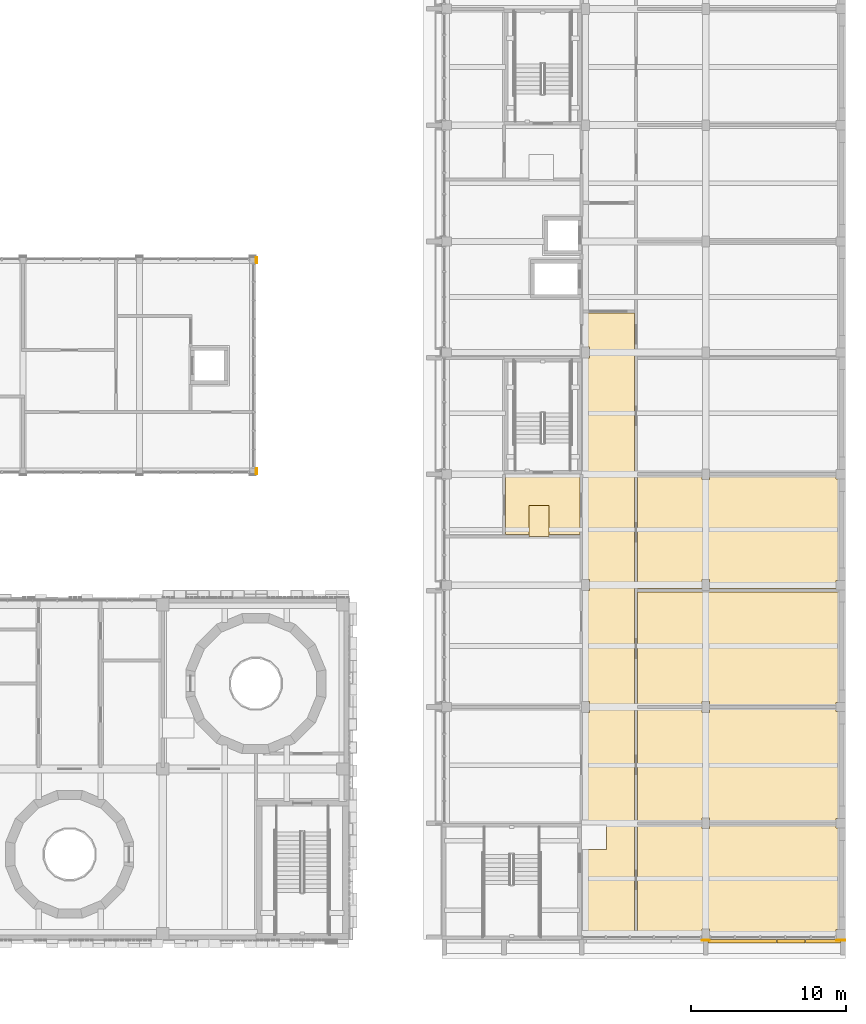
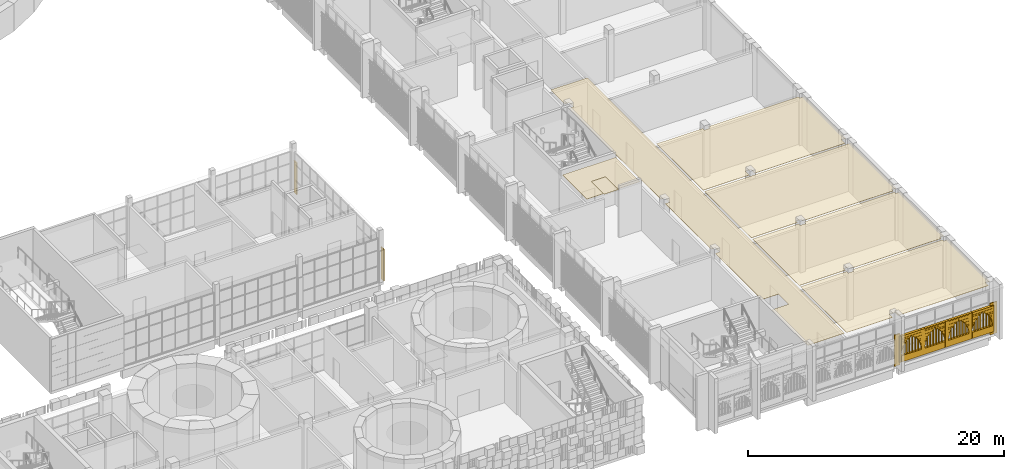
# One storey, part 112 of 125: 10 coverings.
"""IFC4 building model written with IfcOpenShell, lengths in metres."""

from ifc_helpers import new_model, si_unit, direction, frame, origin, origin_2d, place, context, subcontext, project, spatial, polyline, rectangle, outline, extrude, material, layer, layer_set, type_object, element, save


model = new_model("IFC4")

# Units and contexts
model_context = context("Model", 3, precision=1e-05, world=origin(), true_north=direction((0.0, 1.0)))
body_context = subcontext(model_context, "Body", "Model", "MODEL_VIEW")
ifc_project = project(units=[si_unit("LENGTHUNIT", "METRE"), si_unit("AREAUNIT", "SQUARE_METRE"), si_unit("VOLUMEUNIT", "CUBIC_METRE"), si_unit("PLANEANGLEUNIT", "RADIAN"), si_unit("MASSUNIT", "GRAM", prefix="KILO")], contexts=[model_context])

# Site, building, storey
site_placement = place(None, origin())
site = spatial("IfcSite", under=ifc_project, at=site_placement, CompositionType="ELEMENT")
building_placement = place(site_placement, origin())
building = spatial("IfcBuilding", under=site, at=building_placement, Name="Sun Court Science Centre", CompositionType="ELEMENT")
storey_placement = place(building_placement, frame((0.0, 0.0, 6.0)))
storey = spatial("IfcBuildingStorey", under=building, at=storey_placement, Name="L01", CompositionType="ELEMENT", Elevation=6.0)

# Coverings
ifc_material_1 = material(Name="Red sandstone", Category="masonry")
ifc_layer_1 = layer(ifc_material_1, 0.199951171875)
ifc_layer_set_1 = layer_set([ifc_layer_1], Name="Red sandstone")
covering_type_1 = type_object("IfcCoveringType", Name="Arched jali screen 200", PredefinedType="CLADDING", material=ifc_layer_set_1)
covering_1_placement = place(storey_placement, frame((0.0, 0.0, -6.0)))
element("IfcCovering", 1, at=covering_1_placement, inside=storey, type_object=covering_type_1, Name="Arched jali screen south L01 04", PredefinedType="CLADDING", context=body_context, shape_type="SweptSolid", body=[
    extrude(rectangle(XDim=0.139892578125, YDim=0.199951171875, at=origin_2d()), frame((95.22509765625, 5.89990234375, 6.30517578125), z_axis=(0.0, 0.0, 1.0), x_axis=(1.0, 0.0, 0.0)), (0.0, 0.0, 1.0), 2.481201171875),
    extrude(rectangle(XDim=0.2900390625, YDim=0.199951171875, at=origin_2d()), frame((97.28759765625, 5.89990234375, 6.30517578125), z_axis=(0.0, 0.0, 1.0), x_axis=(1.0, 0.0, 0.0)), (0.0, 0.0, 1.0), 2.481201171875),
    extrude(rectangle(XDim=0.2900390625, YDim=0.199951171875, at=origin_2d()), frame((99.425048828125, 5.89990234375, 6.30517578125), z_axis=(0.0, 0.0, 1.0), x_axis=(1.0, 0.0, 0.0)), (0.0, 0.0, 1.0), 2.481201171875),
    extrude(rectangle(XDim=0.2900390625, YDim=0.199951171875, at=origin_2d()), frame((101.5625, 5.89990234375, 6.30517578125), z_axis=(0.0, 0.0, 1.0), x_axis=(1.0, 0.0, 0.0)), (0.0, 0.0, 1.0), 2.481201171875),
    extrude(rectangle(XDim=0.139892578125, YDim=0.199951171875, at=origin_2d()), frame((103.625, 5.89990234375, 6.30517578125), z_axis=(0.0, 0.0, 1.0), x_axis=(1.0, 0.0, 0.0)), (0.0, 0.0, 1.0), 2.481201171875),
    extrude(rectangle(XDim=1.827392578125, YDim=0.199951171875, at=origin_2d()), frame((96.21875, 5.89990234375, 6.30517578125), z_axis=(0.0, 0.0, 1.0), x_axis=(1.0, 0.0, 0.0)), (0.0, 0.0, 1.0), 0.590087890625),
    extrude(rectangle(XDim=0.028564453125, YDim=0.199951171875, at=origin_2d()), frame((95.3193359375, 5.89990234375, 7.205078125), z_axis=(0.0, 0.0, 1.0), x_axis=(1.0, 0.0, 0.0)), (0.0, 0.0, 1.0), 0.139892578125),
    extrude(rectangle(XDim=0.028564453125, YDim=0.199951171875, at=origin_2d()), frame((97.1181640625, 5.89990234375, 7.205078125), z_axis=(0.0, 0.0, 1.0), x_axis=(1.0, 0.0, 0.0)), (0.0, 0.0, 1.0), 0.139892578125),
    extrude(rectangle(XDim=0.066650390625, YDim=0.199951171875, at=origin_2d()), frame((95.33837890625, 5.89990234375, 7.35498046875), z_axis=(0.0, 0.0, 1.0), x_axis=(1.0, 0.0, 0.0)), (0.0, 0.0, 1.0), 0.139892578125),
    extrude(rectangle(XDim=0.066650390625, YDim=0.199951171875, at=origin_2d()), frame((97.09912109375, 5.89990234375, 7.35498046875), z_axis=(0.0, 0.0, 1.0), x_axis=(1.0, 0.0, 0.0)), (0.0, 0.0, 1.0), 0.139892578125),
    extrude(rectangle(XDim=0.118408203125, YDim=0.199951171875, at=origin_2d()), frame((95.3642578125, 5.89990234375, 7.5048828125), z_axis=(0.0, 0.0, 1.0), x_axis=(1.0, 0.0, 0.0)), (0.0, 0.0, 1.0), 0.139892578125),
    extrude(rectangle(XDim=0.118408203125, YDim=0.199951171875, at=origin_2d()), frame((97.0732421875, 5.89990234375, 7.5048828125), z_axis=(0.0, 0.0, 1.0), x_axis=(1.0, 0.0, 0.0)), (0.0, 0.0, 1.0), 0.139892578125),
    extrude(rectangle(XDim=0.185546875, YDim=0.199951171875, at=origin_2d()), frame((95.397705078125, 5.89990234375, 7.6552734375), z_axis=(0.0, 0.0, 1.0), x_axis=(1.0, 0.0, 0.0)), (0.0, 0.0, 1.0), 0.139892578125),
    extrude(rectangle(XDim=0.185546875, YDim=0.199951171875, at=origin_2d()), frame((97.039794921875, 5.89990234375, 7.6552734375), z_axis=(0.0, 0.0, 1.0), x_axis=(1.0, 0.0, 0.0)), (0.0, 0.0, 1.0), 0.139892578125),
    extrude(rectangle(XDim=0.27001953125, YDim=0.199951171875, at=origin_2d()), frame((95.43994140625, 5.89990234375, 7.80517578125), z_axis=(0.0, 0.0, 1.0), x_axis=(1.0, 0.0, 0.0)), (0.0, 0.0, 1.0), 0.139892578125),
    extrude(rectangle(XDim=0.27001953125, YDim=0.199951171875, at=origin_2d()), frame((96.99755859375, 5.89990234375, 7.80517578125), z_axis=(0.0, 0.0, 1.0), x_axis=(1.0, 0.0, 0.0)), (0.0, 0.0, 1.0), 0.139892578125),
    extrude(rectangle(XDim=0.374755859375, YDim=0.199951171875, at=origin_2d()), frame((95.492431640625, 5.89990234375, 7.955078125), z_axis=(0.0, 0.0, 1.0), x_axis=(1.0, 0.0, 0.0)), (0.0, 0.0, 1.0), 0.139892578125),
    extrude(rectangle(XDim=0.374755859375, YDim=0.199951171875, at=origin_2d()), frame((96.945068359375, 5.89990234375, 7.955078125), z_axis=(0.0, 0.0, 1.0), x_axis=(1.0, 0.0, 0.0)), (0.0, 0.0, 1.0), 0.139892578125),
    extrude(rectangle(XDim=0.50439453125, YDim=0.199951171875, at=origin_2d()), frame((95.55712890625, 5.89990234375, 8.10498046875), z_axis=(0.0, 0.0, 1.0), x_axis=(1.0, 0.0, 0.0)), (0.0, 0.0, 1.0), 0.139892578125),
    extrude(rectangle(XDim=0.50439453125, YDim=0.199951171875, at=origin_2d()), frame((96.88037109375, 5.89990234375, 8.10498046875), z_axis=(0.0, 0.0, 1.0), x_axis=(1.0, 0.0, 0.0)), (0.0, 0.0, 1.0), 0.139892578125),
    extrude(rectangle(XDim=0.66748046875, YDim=0.199951171875, at=origin_2d()), frame((95.638671875, 5.89990234375, 8.2548828125), z_axis=(0.0, 0.0, 1.0), x_axis=(1.0, 0.0, 0.0)), (0.0, 0.0, 1.0), 0.139892578125),
    extrude(rectangle(XDim=0.66748046875, YDim=0.199951171875, at=origin_2d()), frame((96.798828125, 5.89990234375, 8.2548828125), z_axis=(0.0, 0.0, 1.0), x_axis=(1.0, 0.0, 0.0)), (0.0, 0.0, 1.0), 0.139892578125),
    extrude(rectangle(XDim=0.881103515625, YDim=0.199951171875, at=origin_2d()), frame((95.74560546875, 5.89990234375, 8.4052734375), z_axis=(0.0, 0.0, 1.0), x_axis=(1.0, 0.0, 0.0)), (0.0, 0.0, 1.0), 0.139892578125),
    extrude(rectangle(XDim=0.881103515625, YDim=0.199951171875, at=origin_2d()), frame((96.69189453125, 5.89990234375, 8.4052734375), z_axis=(0.0, 0.0, 1.0), x_axis=(1.0, 0.0, 0.0)), (0.0, 0.0, 1.0), 0.139892578125),
    extrude(rectangle(XDim=1.827392578125, YDim=0.199951171875, at=origin_2d()), frame((96.21875, 5.89990234375, 8.55517578125), z_axis=(0.0, 0.0, 1.0), x_axis=(1.0, 0.0, 0.0)), (0.0, 0.0, 1.0), 0.139892578125),
    extrude(rectangle(XDim=1.827392578125, YDim=0.199951171875, at=origin_2d()), frame((96.21875, 5.89990234375, 8.705078125), z_axis=(0.0, 0.0, 1.0), x_axis=(1.0, 0.0, 0.0)), (0.0, 0.0, 1.0), 0.081298828125),
    extrude(rectangle(XDim=0.0400390625, YDim=0.199951171875, at=origin_2d()), frame((95.5625, 5.89990234375, 6.905029296875), z_axis=(0.0, 0.0, 1.0), x_axis=(1.0, 0.0, 0.0)), (0.0, 0.0, 1.0), 0.9365234375),
    extrude(rectangle(XDim=0.0400390625, YDim=0.199951171875, at=origin_2d()), frame((95.824951171875, 5.89990234375, 6.905029296875), z_axis=(0.0, 0.0, 1.0), x_axis=(1.0, 0.0, 0.0)), (0.0, 0.0, 1.0), 1.27587890625),
    extrude(rectangle(XDim=0.0400390625, YDim=0.199951171875, at=origin_2d()), frame((96.08740234375, 5.89990234375, 6.905029296875), z_axis=(0.0, 0.0, 1.0), x_axis=(1.0, 0.0, 0.0)), (0.0, 0.0, 1.0), 1.498046875),
    extrude(rectangle(XDim=0.0400390625, YDim=0.199951171875, at=origin_2d()), frame((96.35009765625, 5.89990234375, 6.905029296875), z_axis=(0.0, 0.0, 1.0), x_axis=(1.0, 0.0, 0.0)), (0.0, 0.0, 1.0), 1.498046875),
    extrude(rectangle(XDim=0.0400390625, YDim=0.199951171875, at=origin_2d()), frame((96.612548828125, 5.89990234375, 6.905029296875), z_axis=(0.0, 0.0, 1.0), x_axis=(1.0, 0.0, 0.0)), (0.0, 0.0, 1.0), 1.27587890625),
    extrude(rectangle(XDim=0.0400390625, YDim=0.199951171875, at=origin_2d()), frame((96.875, 5.89990234375, 6.905029296875), z_axis=(0.0, 0.0, 1.0), x_axis=(1.0, 0.0, 0.0)), (0.0, 0.0, 1.0), 0.9365234375),
    extrude(rectangle(XDim=1.827392578125, YDim=0.199951171875, at=origin_2d()), frame((98.356201171875, 5.89990234375, 6.30517578125), z_axis=(0.0, 0.0, 1.0), x_axis=(1.0, 0.0, 0.0)), (0.0, 0.0, 1.0), 0.590087890625),
    extrude(rectangle(XDim=0.028564453125, YDim=0.199951171875, at=origin_2d()), frame((97.456787109375, 5.89990234375, 7.205078125), z_axis=(0.0, 0.0, 1.0), x_axis=(1.0, 0.0, 0.0)), (0.0, 0.0, 1.0), 0.139892578125),
    extrude(rectangle(XDim=0.028564453125, YDim=0.199951171875, at=origin_2d()), frame((99.255615234375, 5.89990234375, 7.205078125), z_axis=(0.0, 0.0, 1.0), x_axis=(1.0, 0.0, 0.0)), (0.0, 0.0, 1.0), 0.139892578125),
    extrude(rectangle(XDim=0.066650390625, YDim=0.199951171875, at=origin_2d()), frame((97.475830078125, 5.89990234375, 7.35498046875), z_axis=(0.0, 0.0, 1.0), x_axis=(1.0, 0.0, 0.0)), (0.0, 0.0, 1.0), 0.139892578125),
    extrude(rectangle(XDim=0.066650390625, YDim=0.199951171875, at=origin_2d()), frame((99.23681640625, 5.89990234375, 7.35498046875), z_axis=(0.0, 0.0, 1.0), x_axis=(1.0, 0.0, 0.0)), (0.0, 0.0, 1.0), 0.139892578125),
    extrude(rectangle(XDim=0.118408203125, YDim=0.199951171875, at=origin_2d()), frame((97.501708984375, 5.89990234375, 7.5048828125), z_axis=(0.0, 0.0, 1.0), x_axis=(1.0, 0.0, 0.0)), (0.0, 0.0, 1.0), 0.139892578125),
    extrude(rectangle(XDim=0.118408203125, YDim=0.199951171875, at=origin_2d()), frame((99.210693359375, 5.89990234375, 7.5048828125), z_axis=(0.0, 0.0, 1.0), x_axis=(1.0, 0.0, 0.0)), (0.0, 0.0, 1.0), 0.139892578125),
    extrude(rectangle(XDim=0.185546875, YDim=0.199951171875, at=origin_2d()), frame((97.535400390625, 5.89990234375, 7.6552734375), z_axis=(0.0, 0.0, 1.0), x_axis=(1.0, 0.0, 0.0)), (0.0, 0.0, 1.0), 0.139892578125),
    extrude(rectangle(XDim=0.185546875, YDim=0.199951171875, at=origin_2d()), frame((99.17724609375, 5.89990234375, 7.6552734375), z_axis=(0.0, 0.0, 1.0), x_axis=(1.0, 0.0, 0.0)), (0.0, 0.0, 1.0), 0.139892578125),
    extrude(rectangle(XDim=0.27001953125, YDim=0.199951171875, at=origin_2d()), frame((97.577392578125, 5.89990234375, 7.80517578125), z_axis=(0.0, 0.0, 1.0), x_axis=(1.0, 0.0, 0.0)), (0.0, 0.0, 1.0), 0.139892578125),
    extrude(rectangle(XDim=0.27001953125, YDim=0.199951171875, at=origin_2d()), frame((99.135009765625, 5.89990234375, 7.80517578125), z_axis=(0.0, 0.0, 1.0), x_axis=(1.0, 0.0, 0.0)), (0.0, 0.0, 1.0), 0.139892578125),
    extrude(rectangle(XDim=0.374755859375, YDim=0.199951171875, at=origin_2d()), frame((97.6298828125, 5.89990234375, 7.955078125), z_axis=(0.0, 0.0, 1.0), x_axis=(1.0, 0.0, 0.0)), (0.0, 0.0, 1.0), 0.139892578125),
    extrude(rectangle(XDim=0.374755859375, YDim=0.199951171875, at=origin_2d()), frame((99.082763671875, 5.89990234375, 7.955078125), z_axis=(0.0, 0.0, 1.0), x_axis=(1.0, 0.0, 0.0)), (0.0, 0.0, 1.0), 0.139892578125),
    extrude(rectangle(XDim=0.50439453125, YDim=0.199951171875, at=origin_2d()), frame((97.694580078125, 5.89990234375, 8.10498046875), z_axis=(0.0, 0.0, 1.0), x_axis=(1.0, 0.0, 0.0)), (0.0, 0.0, 1.0), 0.139892578125),
    extrude(rectangle(XDim=0.50439453125, YDim=0.199951171875, at=origin_2d()), frame((99.017822265625, 5.89990234375, 8.10498046875), z_axis=(0.0, 0.0, 1.0), x_axis=(1.0, 0.0, 0.0)), (0.0, 0.0, 1.0), 0.139892578125),
    extrude(rectangle(XDim=0.66748046875, YDim=0.199951171875, at=origin_2d()), frame((97.776123046875, 5.89990234375, 8.2548828125), z_axis=(0.0, 0.0, 1.0), x_axis=(1.0, 0.0, 0.0)), (0.0, 0.0, 1.0), 0.139892578125),
    extrude(rectangle(XDim=0.66748046875, YDim=0.199951171875, at=origin_2d()), frame((98.936279296875, 5.89990234375, 8.2548828125), z_axis=(0.0, 0.0, 1.0), x_axis=(1.0, 0.0, 0.0)), (0.0, 0.0, 1.0), 0.139892578125),
    extrude(rectangle(XDim=0.881103515625, YDim=0.199951171875, at=origin_2d()), frame((97.883056640625, 5.89990234375, 8.4052734375), z_axis=(0.0, 0.0, 1.0), x_axis=(1.0, 0.0, 0.0)), (0.0, 0.0, 1.0), 0.139892578125),
    extrude(rectangle(XDim=0.881103515625, YDim=0.199951171875, at=origin_2d()), frame((98.82958984375, 5.89990234375, 8.4052734375), z_axis=(0.0, 0.0, 1.0), x_axis=(1.0, 0.0, 0.0)), (0.0, 0.0, 1.0), 0.139892578125),
    extrude(rectangle(XDim=1.827392578125, YDim=0.199951171875, at=origin_2d()), frame((98.356201171875, 5.89990234375, 8.55517578125), z_axis=(0.0, 0.0, 1.0), x_axis=(1.0, 0.0, 0.0)), (0.0, 0.0, 1.0), 0.139892578125),
    extrude(rectangle(XDim=1.827392578125, YDim=0.199951171875, at=origin_2d()), frame((98.356201171875, 5.89990234375, 8.705078125), z_axis=(0.0, 0.0, 1.0), x_axis=(1.0, 0.0, 0.0)), (0.0, 0.0, 1.0), 0.081298828125),
    extrude(rectangle(XDim=0.0400390625, YDim=0.199951171875, at=origin_2d()), frame((97.699951171875, 5.89990234375, 6.905029296875), z_axis=(0.0, 0.0, 1.0), x_axis=(1.0, 0.0, 0.0)), (0.0, 0.0, 1.0), 0.9365234375),
    extrude(rectangle(XDim=0.0400390625, YDim=0.199951171875, at=origin_2d()), frame((97.96240234375, 5.89990234375, 6.905029296875), z_axis=(0.0, 0.0, 1.0), x_axis=(1.0, 0.0, 0.0)), (0.0, 0.0, 1.0), 1.27587890625),
    extrude(rectangle(XDim=0.0400390625, YDim=0.199951171875, at=origin_2d()), frame((98.22509765625, 5.89990234375, 6.905029296875), z_axis=(0.0, 0.0, 1.0), x_axis=(1.0, 0.0, 0.0)), (0.0, 0.0, 1.0), 1.498046875),
    extrude(rectangle(XDim=0.0400390625, YDim=0.199951171875, at=origin_2d()), frame((98.487548828125, 5.89990234375, 6.905029296875), z_axis=(0.0, 0.0, 1.0), x_axis=(1.0, 0.0, 0.0)), (0.0, 0.0, 1.0), 1.498046875),
    extrude(rectangle(XDim=0.0400390625, YDim=0.199951171875, at=origin_2d()), frame((98.75, 5.89990234375, 6.905029296875), z_axis=(0.0, 0.0, 1.0), x_axis=(1.0, 0.0, 0.0)), (0.0, 0.0, 1.0), 1.27587890625),
    extrude(rectangle(XDim=0.0400390625, YDim=0.199951171875, at=origin_2d()), frame((99.012451171875, 5.89990234375, 6.905029296875), z_axis=(0.0, 0.0, 1.0), x_axis=(1.0, 0.0, 0.0)), (0.0, 0.0, 1.0), 0.9365234375),
    extrude(rectangle(XDim=1.827392578125, YDim=0.199951171875, at=origin_2d()), frame((100.49365234375, 5.89990234375, 6.30517578125), z_axis=(0.0, 0.0, 1.0), x_axis=(1.0, 0.0, 0.0)), (0.0, 0.0, 1.0), 0.590087890625),
    extrude(rectangle(XDim=0.028564453125, YDim=0.199951171875, at=origin_2d()), frame((99.59423828125, 5.89990234375, 7.205078125), z_axis=(0.0, 0.0, 1.0), x_axis=(1.0, 0.0, 0.0)), (0.0, 0.0, 1.0), 0.139892578125),
    extrude(rectangle(XDim=0.028564453125, YDim=0.199951171875, at=origin_2d()), frame((101.39306640625, 5.89990234375, 7.205078125), z_axis=(0.0, 0.0, 1.0), x_axis=(1.0, 0.0, 0.0)), (0.0, 0.0, 1.0), 0.139892578125),
    extrude(rectangle(XDim=0.066650390625, YDim=0.199951171875, at=origin_2d()), frame((99.61328125, 5.89990234375, 7.35498046875), z_axis=(0.0, 0.0, 1.0), x_axis=(1.0, 0.0, 0.0)), (0.0, 0.0, 1.0), 0.139892578125),
    extrude(rectangle(XDim=0.066650390625, YDim=0.199951171875, at=origin_2d()), frame((101.374267578125, 5.89990234375, 7.35498046875), z_axis=(0.0, 0.0, 1.0), x_axis=(1.0, 0.0, 0.0)), (0.0, 0.0, 1.0), 0.139892578125),
    extrude(rectangle(XDim=0.118408203125, YDim=0.199951171875, at=origin_2d()), frame((99.63916015625, 5.89990234375, 7.5048828125), z_axis=(0.0, 0.0, 1.0), x_axis=(1.0, 0.0, 0.0)), (0.0, 0.0, 1.0), 0.139892578125),
    extrude(rectangle(XDim=0.118408203125, YDim=0.199951171875, at=origin_2d()), frame((101.34814453125, 5.89990234375, 7.5048828125), z_axis=(0.0, 0.0, 1.0), x_axis=(1.0, 0.0, 0.0)), (0.0, 0.0, 1.0), 0.139892578125),
    extrude(rectangle(XDim=0.185546875, YDim=0.199951171875, at=origin_2d()), frame((99.6728515625, 5.89990234375, 7.6552734375), z_axis=(0.0, 0.0, 1.0), x_axis=(1.0, 0.0, 0.0)), (0.0, 0.0, 1.0), 0.139892578125),
    extrude(rectangle(XDim=0.185546875, YDim=0.199951171875, at=origin_2d()), frame((101.314697265625, 5.89990234375, 7.6552734375), z_axis=(0.0, 0.0, 1.0), x_axis=(1.0, 0.0, 0.0)), (0.0, 0.0, 1.0), 0.139892578125),
    extrude(rectangle(XDim=0.27001953125, YDim=0.199951171875, at=origin_2d()), frame((99.715087890625, 5.89990234375, 7.80517578125), z_axis=(0.0, 0.0, 1.0), x_axis=(1.0, 0.0, 0.0)), (0.0, 0.0, 1.0), 0.139892578125),
    extrude(rectangle(XDim=0.27001953125, YDim=0.199951171875, at=origin_2d()), frame((101.2724609375, 5.89990234375, 7.80517578125), z_axis=(0.0, 0.0, 1.0), x_axis=(1.0, 0.0, 0.0)), (0.0, 0.0, 1.0), 0.139892578125),
    extrude(rectangle(XDim=0.374755859375, YDim=0.199951171875, at=origin_2d()), frame((99.767333984375, 5.89990234375, 7.955078125), z_axis=(0.0, 0.0, 1.0), x_axis=(1.0, 0.0, 0.0)), (0.0, 0.0, 1.0), 0.139892578125),
    extrude(rectangle(XDim=0.374755859375, YDim=0.199951171875, at=origin_2d()), frame((101.22021484375, 5.89990234375, 7.955078125), z_axis=(0.0, 0.0, 1.0), x_axis=(1.0, 0.0, 0.0)), (0.0, 0.0, 1.0), 0.139892578125),
    extrude(rectangle(XDim=0.50439453125, YDim=0.199951171875, at=origin_2d()), frame((99.832275390625, 5.89990234375, 8.10498046875), z_axis=(0.0, 0.0, 1.0), x_axis=(1.0, 0.0, 0.0)), (0.0, 0.0, 1.0), 0.139892578125),
    extrude(rectangle(XDim=0.50439453125, YDim=0.199951171875, at=origin_2d()), frame((101.1552734375, 5.89990234375, 8.10498046875), z_axis=(0.0, 0.0, 1.0), x_axis=(1.0, 0.0, 0.0)), (0.0, 0.0, 1.0), 0.139892578125),
    extrude(rectangle(XDim=0.66748046875, YDim=0.199951171875, at=origin_2d()), frame((99.913818359375, 5.89990234375, 8.2548828125), z_axis=(0.0, 0.0, 1.0), x_axis=(1.0, 0.0, 0.0)), (0.0, 0.0, 1.0), 0.139892578125),
    extrude(rectangle(XDim=0.66748046875, YDim=0.199951171875, at=origin_2d()), frame((101.07373046875, 5.89990234375, 8.2548828125), z_axis=(0.0, 0.0, 1.0), x_axis=(1.0, 0.0, 0.0)), (0.0, 0.0, 1.0), 0.139892578125),
    extrude(rectangle(XDim=0.881103515625, YDim=0.199951171875, at=origin_2d()), frame((100.0205078125, 5.89990234375, 8.4052734375), z_axis=(0.0, 0.0, 1.0), x_axis=(1.0, 0.0, 0.0)), (0.0, 0.0, 1.0), 0.139892578125),
    extrude(rectangle(XDim=0.881103515625, YDim=0.199951171875, at=origin_2d()), frame((100.967041015625, 5.89990234375, 8.4052734375), z_axis=(0.0, 0.0, 1.0), x_axis=(1.0, 0.0, 0.0)), (0.0, 0.0, 1.0), 0.139892578125),
    extrude(rectangle(XDim=1.827392578125, YDim=0.199951171875, at=origin_2d()), frame((100.49365234375, 5.89990234375, 8.55517578125), z_axis=(0.0, 0.0, 1.0), x_axis=(1.0, 0.0, 0.0)), (0.0, 0.0, 1.0), 0.139892578125),
    extrude(rectangle(XDim=1.827392578125, YDim=0.199951171875, at=origin_2d()), frame((100.49365234375, 5.89990234375, 8.705078125), z_axis=(0.0, 0.0, 1.0), x_axis=(1.0, 0.0, 0.0)), (0.0, 0.0, 1.0), 0.081298828125),
    extrude(rectangle(XDim=0.0400390625, YDim=0.199951171875, at=origin_2d()), frame((99.83740234375, 5.89990234375, 6.905029296875), z_axis=(0.0, 0.0, 1.0), x_axis=(1.0, 0.0, 0.0)), (0.0, 0.0, 1.0), 0.9365234375),
    extrude(rectangle(XDim=0.0400390625, YDim=0.199951171875, at=origin_2d()), frame((100.10009765625, 5.89990234375, 6.905029296875), z_axis=(0.0, 0.0, 1.0), x_axis=(1.0, 0.0, 0.0)), (0.0, 0.0, 1.0), 1.27587890625),
    extrude(rectangle(XDim=0.0400390625, YDim=0.199951171875, at=origin_2d()), frame((100.362548828125, 5.89990234375, 6.905029296875), z_axis=(0.0, 0.0, 1.0), x_axis=(1.0, 0.0, 0.0)), (0.0, 0.0, 1.0), 1.498046875),
    extrude(rectangle(XDim=0.0400390625, YDim=0.199951171875, at=origin_2d()), frame((100.625, 5.89990234375, 6.905029296875), z_axis=(0.0, 0.0, 1.0), x_axis=(1.0, 0.0, 0.0)), (0.0, 0.0, 1.0), 1.498046875),
    extrude(rectangle(XDim=0.0400390625, YDim=0.199951171875, at=origin_2d()), frame((100.887451171875, 5.89990234375, 6.905029296875), z_axis=(0.0, 0.0, 1.0), x_axis=(1.0, 0.0, 0.0)), (0.0, 0.0, 1.0), 1.27587890625),
    extrude(rectangle(XDim=0.0400390625, YDim=0.199951171875, at=origin_2d()), frame((101.14990234375, 5.89990234375, 6.905029296875), z_axis=(0.0, 0.0, 1.0), x_axis=(1.0, 0.0, 0.0)), (0.0, 0.0, 1.0), 0.9365234375),
    extrude(rectangle(XDim=1.827392578125, YDim=0.199951171875, at=origin_2d()), frame((102.63134765625, 5.89990234375, 6.30517578125), z_axis=(0.0, 0.0, 1.0), x_axis=(1.0, 0.0, 0.0)), (0.0, 0.0, 1.0), 0.590087890625),
    extrude(rectangle(XDim=0.028564453125, YDim=0.199951171875, at=origin_2d()), frame((101.73193359375, 5.89990234375, 7.205078125), z_axis=(0.0, 0.0, 1.0), x_axis=(1.0, 0.0, 0.0)), (0.0, 0.0, 1.0), 0.139892578125),
    extrude(rectangle(XDim=0.028564453125, YDim=0.199951171875, at=origin_2d()), frame((103.53076171875, 5.89990234375, 7.205078125), z_axis=(0.0, 0.0, 1.0), x_axis=(1.0, 0.0, 0.0)), (0.0, 0.0, 1.0), 0.139892578125),
    extrude(rectangle(XDim=0.066650390625, YDim=0.199951171875, at=origin_2d()), frame((101.750732421875, 5.89990234375, 7.35498046875), z_axis=(0.0, 0.0, 1.0), x_axis=(1.0, 0.0, 0.0)), (0.0, 0.0, 1.0), 0.139892578125),
    extrude(rectangle(XDim=0.066650390625, YDim=0.199951171875, at=origin_2d()), frame((103.51171875, 5.89990234375, 7.35498046875), z_axis=(0.0, 0.0, 1.0), x_axis=(1.0, 0.0, 0.0)), (0.0, 0.0, 1.0), 0.139892578125),
    extrude(rectangle(XDim=0.118408203125, YDim=0.199951171875, at=origin_2d()), frame((101.77685546875, 5.89990234375, 7.5048828125), z_axis=(0.0, 0.0, 1.0), x_axis=(1.0, 0.0, 0.0)), (0.0, 0.0, 1.0), 0.139892578125),
    extrude(rectangle(XDim=0.118408203125, YDim=0.199951171875, at=origin_2d()), frame((103.48583984375, 5.89990234375, 7.5048828125), z_axis=(0.0, 0.0, 1.0), x_axis=(1.0, 0.0, 0.0)), (0.0, 0.0, 1.0), 0.139892578125),
    extrude(rectangle(XDim=0.185546875, YDim=0.199951171875, at=origin_2d()), frame((101.810302734375, 5.89990234375, 7.6552734375), z_axis=(0.0, 0.0, 1.0), x_axis=(1.0, 0.0, 0.0)), (0.0, 0.0, 1.0), 0.139892578125),
    extrude(rectangle(XDim=0.185546875, YDim=0.199951171875, at=origin_2d()), frame((103.4521484375, 5.89990234375, 7.6552734375), z_axis=(0.0, 0.0, 1.0), x_axis=(1.0, 0.0, 0.0)), (0.0, 0.0, 1.0), 0.139892578125),
    extrude(rectangle(XDim=0.27001953125, YDim=0.199951171875, at=origin_2d()), frame((101.8525390625, 5.89990234375, 7.80517578125), z_axis=(0.0, 0.0, 1.0), x_axis=(1.0, 0.0, 0.0)), (0.0, 0.0, 1.0), 0.139892578125),
    extrude(rectangle(XDim=0.27001953125, YDim=0.199951171875, at=origin_2d()), frame((103.409912109375, 5.89990234375, 7.80517578125), z_axis=(0.0, 0.0, 1.0), x_axis=(1.0, 0.0, 0.0)), (0.0, 0.0, 1.0), 0.139892578125),
    extrude(rectangle(XDim=0.374755859375, YDim=0.199951171875, at=origin_2d()), frame((101.90478515625, 5.89990234375, 7.955078125), z_axis=(0.0, 0.0, 1.0), x_axis=(1.0, 0.0, 0.0)), (0.0, 0.0, 1.0), 0.139892578125),
    extrude(rectangle(XDim=0.374755859375, YDim=0.199951171875, at=origin_2d()), frame((103.357666015625, 5.89990234375, 7.955078125), z_axis=(0.0, 0.0, 1.0), x_axis=(1.0, 0.0, 0.0)), (0.0, 0.0, 1.0), 0.139892578125),
    extrude(rectangle(XDim=0.50439453125, YDim=0.199951171875, at=origin_2d()), frame((101.9697265625, 5.89990234375, 8.10498046875), z_axis=(0.0, 0.0, 1.0), x_axis=(1.0, 0.0, 0.0)), (0.0, 0.0, 1.0), 0.139892578125),
    extrude(rectangle(XDim=0.50439453125, YDim=0.199951171875, at=origin_2d()), frame((103.292724609375, 5.89990234375, 8.10498046875), z_axis=(0.0, 0.0, 1.0), x_axis=(1.0, 0.0, 0.0)), (0.0, 0.0, 1.0), 0.139892578125),
    extrude(rectangle(XDim=0.66748046875, YDim=0.199951171875, at=origin_2d()), frame((102.05126953125, 5.89990234375, 8.2548828125), z_axis=(0.0, 0.0, 1.0), x_axis=(1.0, 0.0, 0.0)), (0.0, 0.0, 1.0), 0.139892578125),
    extrude(rectangle(XDim=0.66748046875, YDim=0.199951171875, at=origin_2d()), frame((103.211181640625, 5.89990234375, 8.2548828125), z_axis=(0.0, 0.0, 1.0), x_axis=(1.0, 0.0, 0.0)), (0.0, 0.0, 1.0), 0.139892578125),
    extrude(rectangle(XDim=0.881103515625, YDim=0.199951171875, at=origin_2d()), frame((102.157958984375, 5.89990234375, 8.4052734375), z_axis=(0.0, 0.0, 1.0), x_axis=(1.0, 0.0, 0.0)), (0.0, 0.0, 1.0), 0.139892578125),
    extrude(rectangle(XDim=0.881103515625, YDim=0.199951171875, at=origin_2d()), frame((103.1044921875, 5.89990234375, 8.4052734375), z_axis=(0.0, 0.0, 1.0), x_axis=(1.0, 0.0, 0.0)), (0.0, 0.0, 1.0), 0.139892578125),
    extrude(rectangle(XDim=1.827392578125, YDim=0.199951171875, at=origin_2d()), frame((102.63134765625, 5.89990234375, 8.55517578125), z_axis=(0.0, 0.0, 1.0), x_axis=(1.0, 0.0, 0.0)), (0.0, 0.0, 1.0), 0.139892578125),
    extrude(rectangle(XDim=1.827392578125, YDim=0.199951171875, at=origin_2d()), frame((102.63134765625, 5.89990234375, 8.705078125), z_axis=(0.0, 0.0, 1.0), x_axis=(1.0, 0.0, 0.0)), (0.0, 0.0, 1.0), 0.081298828125),
    extrude(rectangle(XDim=0.0400390625, YDim=0.199951171875, at=origin_2d()), frame((101.97509765625, 5.89990234375, 6.905029296875), z_axis=(0.0, 0.0, 1.0), x_axis=(1.0, 0.0, 0.0)), (0.0, 0.0, 1.0), 0.9365234375),
    extrude(rectangle(XDim=0.0400390625, YDim=0.199951171875, at=origin_2d()), frame((102.237548828125, 5.89990234375, 6.905029296875), z_axis=(0.0, 0.0, 1.0), x_axis=(1.0, 0.0, 0.0)), (0.0, 0.0, 1.0), 1.27587890625),
    extrude(rectangle(XDim=0.0400390625, YDim=0.199951171875, at=origin_2d()), frame((102.5, 5.89990234375, 6.905029296875), z_axis=(0.0, 0.0, 1.0), x_axis=(1.0, 0.0, 0.0)), (0.0, 0.0, 1.0), 1.498046875),
    extrude(rectangle(XDim=0.0400390625, YDim=0.199951171875, at=origin_2d()), frame((102.762451171875, 5.89990234375, 6.905029296875), z_axis=(0.0, 0.0, 1.0), x_axis=(1.0, 0.0, 0.0)), (0.0, 0.0, 1.0), 1.498046875),
    extrude(rectangle(XDim=0.0400390625, YDim=0.199951171875, at=origin_2d()), frame((103.02490234375, 5.89990234375, 6.905029296875), z_axis=(0.0, 0.0, 1.0), x_axis=(1.0, 0.0, 0.0)), (0.0, 0.0, 1.0), 1.27587890625),
    extrude(rectangle(XDim=0.0400390625, YDim=0.199951171875, at=origin_2d()), frame((103.28759765625, 5.89990234375, 6.905029296875), z_axis=(0.0, 0.0, 1.0), x_axis=(1.0, 0.0, 0.0)), (0.0, 0.0, 1.0), 0.9365234375),
])
ifc_material_2 = material(Name="Gypsum board")
ifc_layer_2 = layer(ifc_material_2, 0.030029296875)
ifc_layer_set_2 = layer_set([ifc_layer_2], Name="Gypsum board")
covering_type_2 = type_object("IfcCoveringType", Name="Ceiling suspended 600 module", PredefinedType="CEILING", material=ifc_layer_set_2)
covering_2_placement = place(storey_placement, frame((0.0, 0.0, 4.52001953125)))
element("IfcCovering", 2, at=covering_2_placement, inside=storey, type_object=covering_type_2, Name="L01-037 ceiling", PredefinedType="CEILING", context=body_context, shape_type="SweptSolid", body=[
    extrude(outline(polyline([(87.10009765625, 6.199951171875), (87.10009765625, 11.800048828125), (88.60009765625, 11.800048828125), (88.60009765625, 13.39990234375), (87.10009765625, 13.39990234375), (87.10009765625, 20.64990234375), (87.5, 20.64990234375), (87.5, 21.35009765625), (87.10009765625, 21.35009765625), (87.10009765625, 28.5), (87.5, 28.5), (87.5, 29.199951171875), (87.10009765625, 29.199951171875), (87.10009765625, 43.5), (87.5, 43.5), (87.5, 44.199951171875), (87.10009765625, 44.199951171875), (87.10009765625, 46.39990234375), (90.39990234375, 46.39990234375), (90.39990234375, 6.199951171875), (87.10009765625, 6.199951171875)])), origin(), (0.0, 0.0, 1.0), 0.030029296875),
])
covering_3_placement = place(storey_placement, frame((0.0, 0.0, 4.52001953125)))
element("IfcCovering", 3, at=covering_3_placement, inside=storey, type_object=covering_type_2, Name="L01-040 ceiling", PredefinedType="CEILING", context=body_context, shape_type="SweptSolid", body=[
    extrude(outline(polyline([(84.89990234375, 34.0), (83.60009765625, 34.0), (83.60009765625, 32.10009765625), (82.10009765625, 32.10009765625), (82.10009765625, 35.89990234375), (86.89990234375, 35.89990234375), (86.89990234375, 32.10009765625), (84.89990234375, 32.10009765625), (84.89990234375, 34.0)])), origin(), (0.0, 0.0, 1.0), 0.030029296875),
])
covering_4_placement = place(storey_placement, frame((0.0, 0.0, 4.52001953125)))
element("IfcCovering", 4, at=covering_4_placement, inside=storey, type_object=covering_type_2, Name="L01-050 ceiling", PredefinedType="CEILING", context=body_context, shape_type="SweptSolid", body=[
    extrude(outline(polyline([(103.39990234375, 6.199951171875), (95.25, 6.199951171875), (95.25, 6.699951171875), (94.75, 6.699951171875), (94.75, 6.199951171875), (90.60009765625, 6.199951171875), (90.60009765625, 13.39990234375), (94.75, 13.39990234375), (94.75, 13.14990234375), (95.25, 13.14990234375), (95.25, 13.39990234375), (103.39990234375, 13.39990234375), (103.39990234375, 13.199951171875), (103.800048828125, 13.199951171875), (103.800048828125, 6.64990234375), (103.39990234375, 6.64990234375), (103.39990234375, 6.199951171875)])), origin(), (0.0, 0.0, 1.0), 0.030029296875),
])
covering_5_placement = place(storey_placement, frame((0.0, 0.0, 4.52001953125)))
element("IfcCovering", 5, at=covering_5_placement, inside=storey, type_object=covering_type_2, Name="L01-051 ceiling", PredefinedType="CEILING", context=body_context, shape_type="SweptSolid", body=[
    extrude(outline(polyline([(103.39990234375, 13.60009765625), (95.25, 13.60009765625), (95.25, 13.85009765625), (94.75, 13.85009765625), (94.75, 13.60009765625), (90.60009765625, 13.60009765625), (90.60009765625, 20.89990234375), (94.75, 20.89990234375), (94.75, 20.64990234375), (95.25, 20.64990234375), (95.25, 20.89990234375), (103.39990234375, 20.89990234375), (103.39990234375, 20.699951171875), (103.800048828125, 20.699951171875), (103.800048828125, 13.800048828125), (103.39990234375, 13.800048828125), (103.39990234375, 13.60009765625)])), origin(), (0.0, 0.0, 1.0), 0.030029296875),
])
covering_6_placement = place(storey_placement, frame((0.0, 0.0, 4.52001953125)))
element("IfcCovering", 6, at=covering_6_placement, inside=storey, type_object=covering_type_2, Name="L01-052 ceiling", PredefinedType="CEILING", context=body_context, shape_type="SweptSolid", body=[
    extrude(outline(polyline([(103.39990234375, 21.10009765625), (95.25, 21.10009765625), (95.25, 21.35009765625), (94.75, 21.35009765625), (94.75, 21.10009765625), (90.60009765625, 21.10009765625), (90.60009765625, 28.39990234375), (103.800048828125, 28.39990234375), (103.800048828125, 21.300048828125), (103.39990234375, 21.300048828125), (103.39990234375, 21.10009765625)])), origin(), (0.0, 0.0, 1.0), 0.030029296875),
])
covering_7_placement = place(storey_placement, frame((0.0, 0.0, 4.52001953125)))
element("IfcCovering", 7, at=covering_7_placement, inside=storey, type_object=covering_type_2, Name="L01-053 ceiling", PredefinedType="CEILING", context=body_context, shape_type="SweptSolid", body=[
    extrude(outline(polyline([(103.39990234375, 28.60009765625), (95.25, 28.60009765625), (95.25, 29.199951171875), (94.75, 29.199951171875), (94.75, 28.60009765625), (90.60009765625, 28.60009765625), (90.60009765625, 35.89990234375), (94.75, 35.89990234375), (94.75, 35.64990234375), (95.25, 35.64990234375), (95.25, 35.89990234375), (103.39990234375, 35.89990234375), (103.39990234375, 35.699951171875), (103.800048828125, 35.699951171875), (103.800048828125, 29.14990234375), (103.39990234375, 29.14990234375), (103.39990234375, 28.60009765625)])), origin(), (0.0, 0.0, 1.0), 0.030029296875),
])
covering_8_placement = place(storey_placement, frame((0.0, 0.0, 4.52001953125)))
element("IfcCovering", 8, at=covering_8_placement, inside=storey, type_object=covering_type_2, Name="L01-059 ceiling", PredefinedType="CEILING", context=body_context, shape_type="SweptSolid", body=[
    extrude(outline(polyline([(84.89990234375, 34.0), (84.89990234375, 32.0), (83.60009765625, 32.0), (83.60009765625, 34.0), (84.89990234375, 34.0)])), origin(), (0.0, 0.0, 1.0), 0.030029296875),
])
ifc_material_3 = material(Name="Red sandstone", Category="masonry")
ifc_layer_3 = layer(ifc_material_3, 0.080078125)
ifc_layer_set_3 = layer_set([ifc_layer_3], Name="Red sandstone")
covering_type_3 = type_object("IfcCoveringType", Name="Red sandstone pier cladding", PredefinedType="CLADDING", material=ifc_layer_set_3)
covering_9_placement = place(storey_placement, frame((0.0, 0.0, -6.0)))
element("IfcCovering", 9, at=covering_9_placement, inside=storey, type_object=covering_type_3, Name="Red sandstone pier cladding south face L01", PredefinedType="CLADDING", context=body_context, shape_type="SweptSolid", body=[
    extrude(rectangle(XDim=0.60009765625, YDim=0.080078125, at=origin_2d()), frame((103.699951171875, 5.9599609375, 6.0), z_axis=(0.0, 0.0, 1.0), x_axis=(-1.0, 0.0, 0.0)), (0.0, 0.0, 1.0), 3.0),
    extrude(rectangle(XDim=0.5, YDim=0.080078125, at=origin_2d()), frame((95.0, 5.9599609375, 6.0), z_axis=(0.0, 0.0, 1.0), x_axis=(-1.0, 0.0, 0.0)), (0.0, 0.0, 1.0), 3.0),
])
covering_10_placement = place(storey_placement, frame((0.0, 0.0, -6.0)))
element("IfcCovering", 10, at=covering_10_placement, inside=storey, type_object=covering_type_3, Name="Red sandstone pier cladding east face L01", PredefinedType="CLADDING", context=body_context, shape_type="SweptSolid", body=[
    extrude(rectangle(XDim=0.39990234375, YDim=0.080078125, at=origin_2d()), frame((66.0400390625, 49.800048828125, 6.0), z_axis=(0.0, 0.0, 1.0), x_axis=(0.0, -1.0, 0.0)), (0.0, 0.0, 1.0), 3.0),
    extrude(rectangle(XDim=0.39990234375, YDim=0.080078125, at=origin_2d()), frame((66.0400390625, 36.199951171875, 6.0), z_axis=(0.0, 0.0, 1.0), x_axis=(0.0, -1.0, 0.0)), (0.0, 0.0, 1.0), 3.0),
])

save(model, "model.ifc")
